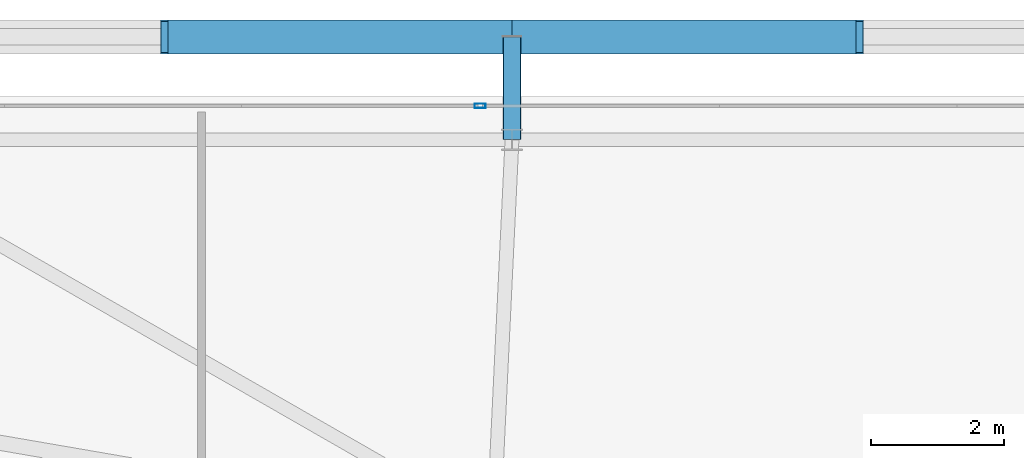
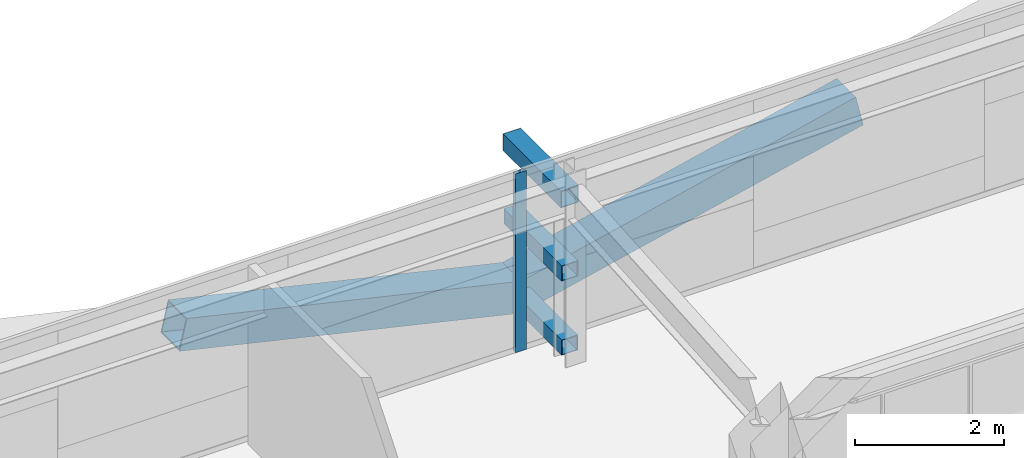
# One storey, part 23 of 44: 6 members, 1 element without a shape of its own.
"""IFC4 building model written with IfcOpenShell, lengths in metres."""

from ifc_helpers import new_model, si_unit, direction, frame, origin, origin_2d, place, context, subcontext, project, spatial, hollow_rectangle, extrude, source, transform, mapped, material, layer, layer_set, material_profile, profile_set, type_object, element, aggregate, save


model = new_model("IFC4")

# Units and contexts
model_context = context("Model", 3, precision=1e-05, world=origin(), true_north=direction((0.0, 1.0)))
body_context = subcontext(model_context, "Body", "Model", "MODEL_VIEW")
ifc_project = project(units=[si_unit("LENGTHUNIT", "METRE"), si_unit("AREAUNIT", "SQUARE_METRE"), si_unit("VOLUMEUNIT", "CUBIC_METRE"), si_unit("PLANEANGLEUNIT", "RADIAN"), si_unit("MASSUNIT", "GRAM", prefix="KILO")], contexts=[model_context])

# Site, building, storey
site_placement = place(None, origin())
site = spatial("IfcSite", under=ifc_project, at=site_placement, CompositionType="ELEMENT")
building_placement = place(site_placement, origin())
building = spatial("IfcBuilding", under=site, at=building_placement, Name="Taldren Reach Tower", CompositionType="ELEMENT")
storey_placement = place(building_placement, frame((0.0, 0.0, 38.85009765625)))
storey = spatial("IfcBuildingStorey", under=building, at=storey_placement, Name="L11", CompositionType="ELEMENT", Elevation=38.85009765625)

# Members
ifc_material_1 = material(Name="Steel Gr 450 (C450L0)", Category="steel")
ifc_material_profile_1 = material_profile(ifc_material_1, hollow_rectangle(XDim=0.27490234375, YDim=0.27490234375, WallThickness=0.00927734375, at=origin_2d()), Name="275x275x9.3SHS")
ifc_profile_set_1 = profile_set([ifc_material_profile_1], Name="Steel Gr 450 (C450L0)")
member_type_1 = type_object("IfcMemberType", Name="MB-TIE273", PredefinedType="STRUT", material=ifc_profile_set_1)
shared_shape_1 = source(origin(), body_context, "Body", "SweptSolid", [
    extrude(hollow_rectangle(XDim=0.27490234375, YDim=0.27490234375, WallThickness=0.00927734375, at=origin_2d()), origin(), (0.0, 0.0, 1.0), 1.5498046875),
])
member_1_placement = place(storey_placement, frame((19.280029296875, 37.85009765625, 2.64990234375), z_axis=(0.0, 1.0, 0.0), x_axis=(-1.0, 0.0, 0.0)))
element("IfcMember", 1, at=member_1_placement, inside=storey, type_object=member_type_1, Name="Exoskeleton diaphragm tie strut B1-N2 L11", PredefinedType="STRUT", context=body_context, shape_type="MappedRepresentation", body=[
    mapped(shared_shape_1, transform((0.0, 0.0, 0.0), scale=1.0)),
])
ifc_material_profile_2 = material_profile(ifc_material_1, hollow_rectangle(XDim=0.510009765625, YDim=0.510009765625, WallThickness=0.02001953125, at=origin_2d()), Name="510x510x20.0SHS")
ifc_profile_set_2 = profile_set([ifc_material_profile_2], Name="Steel Gr 450 (C450L0)")
member_type_2 = type_object("IfcMemberType", Name="MB-EXO508", PredefinedType="BRACE", material=ifc_profile_set_2)
shared_shape_2 = source(origin(), body_context, "Body", "SweptSolid", [
    extrude(hollow_rectangle(XDim=0.510009765625, YDim=0.510009765625, WallThickness=0.02001953125, at=origin_2d()), origin(), (0.0, 0.0, 1.0), 5.37890625),
])
for number, where, z_axis, x_axis, name in (
    (2, (19.280029296875, 39.39990234375, 0.219970703125), (-0.974161966843, 0.0, 0.225850531007), (0.0, -1.0, 0.0), "Exoskeleton Diagrid Brace B1-N1 L11"),
    (3, (19.280029296875, 39.39990234375, 0.219970703125), (0.974161966843, 0.0, 0.225850531007), (0.0, 1.0, 0.0), "Exoskeleton Diagrid Brace B1-N2 L11"),
):
    element("IfcMember", number, at=place(storey_placement, frame(where, z_axis=z_axis, x_axis=x_axis)), inside=storey, type_object=member_type_2, Name=name, PredefinedType="BRACE", context=body_context, shape_type="MappedRepresentation", body=[
        mapped(shared_shape_2, transform((0.0, 0.0, 0.0), scale=1.0)),
    ])
ifc_material_2 = material(Name="Steel Gr 350 (C350L0)", Category="steel")
ifc_material_profile_3 = material_profile(ifc_material_2, hollow_rectangle(XDim=0.25, YDim=0.25, WallThickness=0.010009765625, at=origin_2d()), Name="250x250x10.0SHS")
ifc_profile_set_3 = profile_set([ifc_material_profile_3], Name="Steel Gr 350 (C350L0)")
member_type_3 = type_object("IfcMemberType", Name="MB-POST250", PredefinedType="POST", material=ifc_profile_set_3)
shared_shape_3 = source(origin(), body_context, "Body", "SweptSolid", [
    extrude(hollow_rectangle(XDim=0.25, YDim=0.25, WallThickness=0.010009765625, at=origin_2d()), origin(), (0.0, 0.0, 1.0), 1.5498046875),
])
for number, where, z_axis, x_axis, name in (
    (4, (19.280029296875, 37.85009765625, 0.219970703125), (0.0, 1.0, 0.0), (-1.0, 0.0, 0.0), "Exoskeleton base diaphragm tie strut B1-N2 L11"),
    (5, (19.280029296875, 37.85009765625, 1.434814453125), (0.0, 1.0, 0.0), (-1.0, 0.0, 0.0), "Exoskeleton mid-tier diaphragm tie B1-N2 L11"),
):
    element("IfcMember", number, at=place(storey_placement, frame(where, z_axis=z_axis, x_axis=x_axis)), inside=storey, type_object=member_type_3, Name=name, PredefinedType="POST", context=body_context, shape_type="MappedRepresentation", body=[
        mapped(shared_shape_3, transform((0.0, 0.0, 0.0), scale=1.0)),
    ])

# Curtain wall, member
ifc_material_3 = material(Name="Aluminium and Low-E Glass Unitised System", Category="aluminium")
ifc_layer = layer(ifc_material_3, 0.159912109375)
ifc_layer_set = layer_set([ifc_layer], Name="Aluminium and Low-E Glass Unitised System")
curtain_wall_type = type_object("IfcCurtainWallType", Name="CW-SYS-2", PredefinedType="NOTDEFINED", material=ifc_layer_set)
curtain_wall_placement = place(storey_placement, origin())
curtain_wall = element("IfcCurtainWall", 6, at=curtain_wall_placement, inside=storey, type_object=curtain_wall_type, Name="Unitised curtain wall CW-L11-N", PredefinedType="NOTDEFINED")
ifc_material_4 = material(Name="Anodised Aluminium 6063-T6", Category="aluminium")
ifc_material_profile_4 = material_profile(ifc_material_4, hollow_rectangle(XDim=0.06494140625, YDim=0.1650390625, WallThickness=0.00390625, at=origin_2d()), Name="ALU-165x65x4RHS")
ifc_profile_set_4 = profile_set([ifc_material_profile_4], Name="Anodised Aluminium 6063-T6")
member_type_4 = type_object("IfcMemberType", Name="CW-MUL-165", PredefinedType="MULLION", material=ifc_profile_set_4)
shared_shape_4 = source(origin(), body_context, "Body", "SweptSolid", [
    extrude(hollow_rectangle(XDim=0.06494140625, YDim=0.1650390625, WallThickness=0.00390625, at=origin_2d()), origin(), (0.0, 0.0, 1.0), 2.929931640625),
])
member_2_placement = place(storey_placement, frame((18.800048828125, 38.360107421875, 0.0), z_axis=(0.0, 0.0, 1.0), x_axis=(0.0, -1.0, 0.0)))
member_2 = element("IfcMember", 7, at=member_2_placement, type_object=member_type_4, Name="CW-2 mullion 5", PredefinedType="MULLION", context=body_context, shape_type="MappedRepresentation", body=[
    mapped(shared_shape_4, transform((0.0, 0.0, 0.0), scale=1.0)),
])
aggregate(curtain_wall, [member_2])

save(model, "model.ifc")
